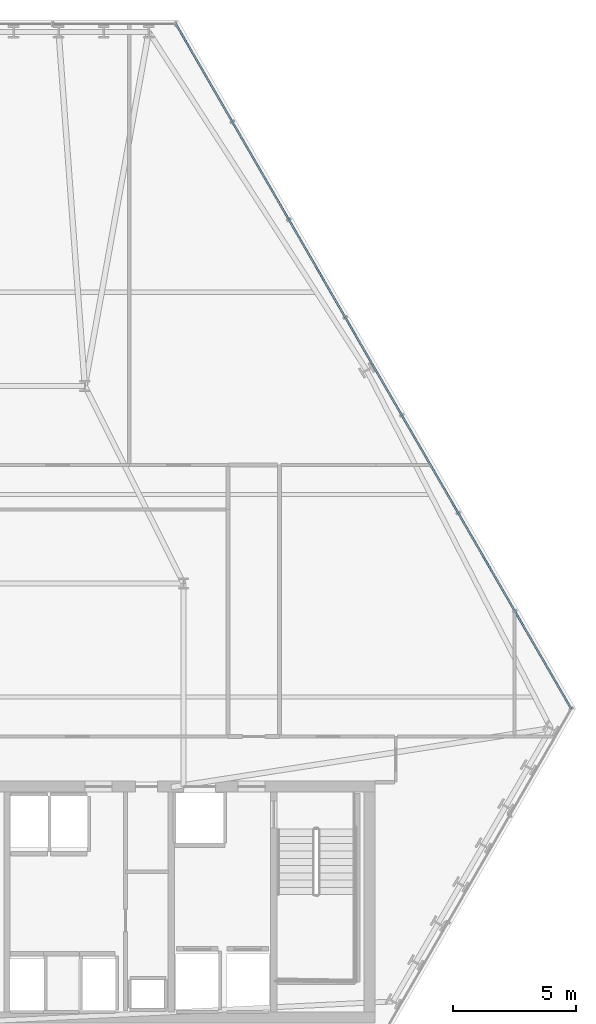
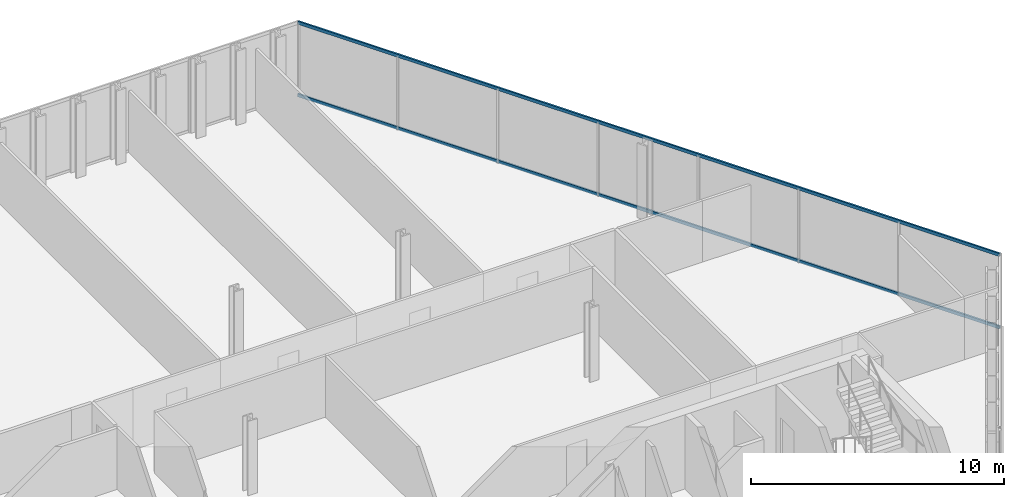
# One storey, part 20 of 32: 2 members, 1 element without a shape of its own.
"""IFC4 building model written with IfcOpenShell, lengths in metres."""

from ifc_helpers import new_model, si_unit, direction, frame, origin, origin_2d, place, context, subcontext, project, spatial, hollow_rectangle, extrude, material, layer, layer_set, material_profile, profile_set, type_object, element, aggregate, save


model = new_model("IFC4")

# Units and contexts
model_context = context("Model", 3, precision=1e-05, world=origin(), true_north=direction((0.0, 1.0)))
body_context = subcontext(model_context, "Body", "Model", "MODEL_VIEW")
ifc_project = project(units=[si_unit("LENGTHUNIT", "METRE"), si_unit("AREAUNIT", "SQUARE_METRE"), si_unit("VOLUMEUNIT", "CUBIC_METRE"), si_unit("PLANEANGLEUNIT", "RADIAN"), si_unit("MASSUNIT", "GRAM", prefix="KILO")], contexts=[model_context])

# Site, building, storey
site_placement = place(None, origin())
site = spatial("IfcSite", under=ifc_project, at=site_placement, CompositionType="ELEMENT")
building_placement = place(site_placement, origin())
building = spatial("IfcBuilding", under=site, at=building_placement, Name="Ndaravel Arena Tower", CompositionType="ELEMENT")
storey_placement = place(building_placement, frame((0.0, 0.0, 74.0)))
storey = spatial("IfcBuildingStorey", under=building, at=storey_placement, Name="L16", CompositionType="ELEMENT", Elevation=74.0)

# Curtain wall, members
ifc_material_1 = material(Name="Aluminium", Category="aluminium")
ifc_layer = layer(ifc_material_1, 0.179931640625)
ifc_layer_set = layer_set([ifc_layer], Name="Aluminium")
curtain_wall_type = type_object("IfcCurtainWallType", Name="CW-SYS-03", PredefinedType="NOTDEFINED", material=ifc_layer_set)
curtain_wall_placement = place(storey_placement, origin())
curtain_wall = element("IfcCurtainWall", 1, at=curtain_wall_placement, inside=storey, type_object=curtain_wall_type, Name="L16 Faceted Crystal Curtain Wall CW-L16-E03", PredefinedType="NOTDEFINED")
ifc_material_2 = material(Name="Aluminium", Category="aluminium")
ifc_material_profile = material_profile(ifc_material_2, hollow_rectangle(XDim=0.074951171875, YDim=0.14990234375, WallThickness=0.00390625, at=origin_2d()), Name="CW TRANSOM 75x150x4")
ifc_profile_set = profile_set([ifc_material_profile], Name="Aluminium")
member_type = type_object("IfcMemberType", Name="MEM-CW-TRN150", PredefinedType="USERDEFINED", material=ifc_profile_set)
member_1_placement = place(storey_placement, frame((65.50146484375, 18.127197265625, 0.0400390625), z_axis=(-0.500004412291, 0.866022856332, 0.0), x_axis=(-0.866022856332, -0.500004412291, 0.0)))
member_1 = element("IfcMember", 2, at=member_1_placement, type_object=member_type, Name="CW-L16-E03 Transom 01", ObjectType="TRANSOM", PredefinedType="USERDEFINED", context=body_context, shape_type="SweptSolid", body=[
    extrude(hollow_rectangle(XDim=0.074951171875, YDim=0.14990234375, WallThickness=0.00390625, at=origin_2d()), origin(), (0.0, 0.0, 1.0), 32.029541015625),
])
member_2_placement = place(storey_placement, frame((65.50146484375, 18.127197265625, 3.5400390625), z_axis=(-0.500004412291, 0.866022856332, 0.0), x_axis=(-0.866022856332, -0.500004412291, 0.0)))
member_2 = element("IfcMember", 3, at=member_2_placement, type_object=member_type, Name="CW-L16-E03 Transom 02", ObjectType="TRANSOM", PredefinedType="USERDEFINED", context=body_context, shape_type="SweptSolid", body=[
    extrude(hollow_rectangle(XDim=0.074951171875, YDim=0.14990234375, WallThickness=0.00390625, at=origin_2d()), origin(), (0.0, 0.0, 1.0), 32.029541015625),
])
aggregate(curtain_wall, [member_1, member_2])

save(model, "model.ifc")
